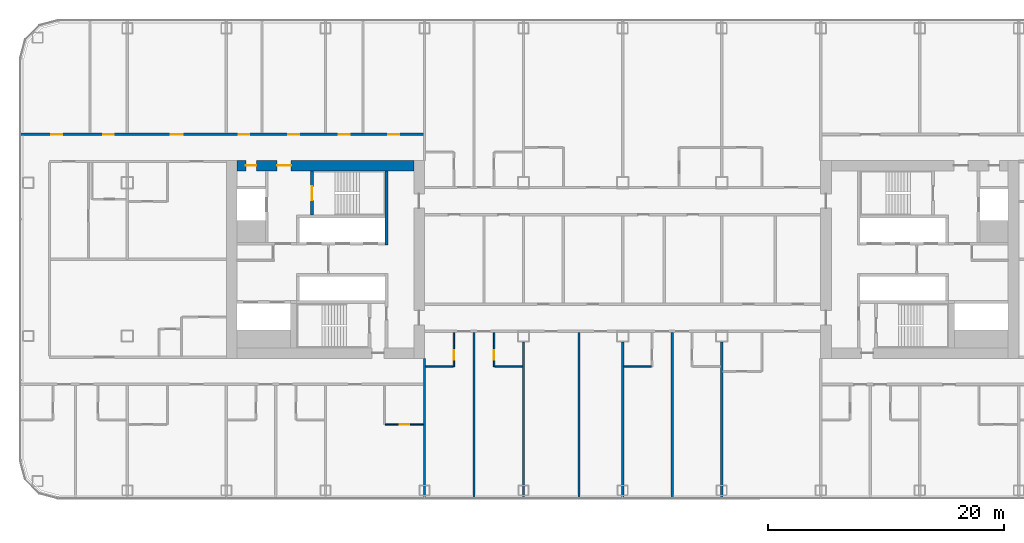
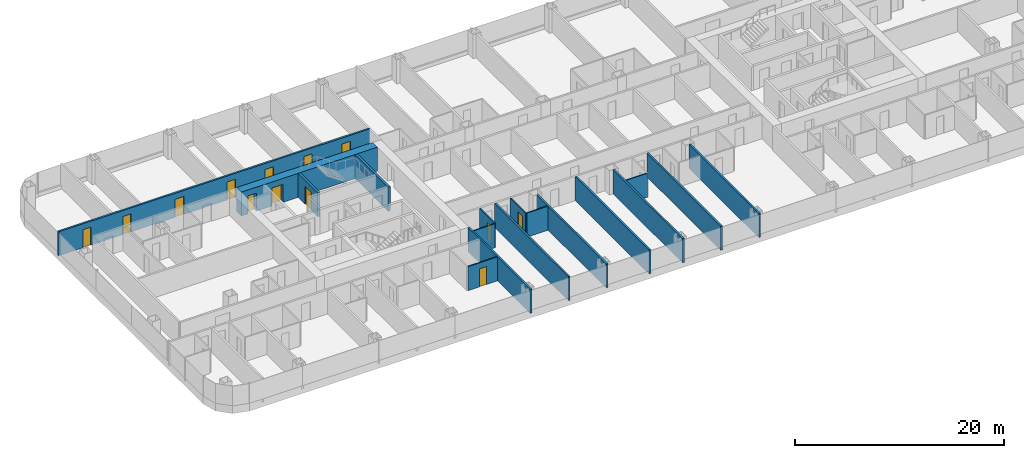
# One storey, part 15 of 29: 17 walls, 13 doors, 13 openings.
"""IFC4 building model written with IfcOpenShell, lengths in metres."""

import ifcopenshell
import ifcopenshell.guid

model = None  # the IFC model being written
_history = None  # IfcOwnerHistory: only IFC2X3 demands one
_inside = {}  # id of a spatial element -> (the spatial element, [elements in it])
_under = {}  # id of a project, library or spatial element -> (it, [spatial elements below it])
_declared = {}  # id of a project -> (the project, [libraries it declares])
_typed = {}  # id of a type object -> (the type object, [elements of that type])
_made_of = {}  # id of a material, layer set ... -> (it, [elements and type objects made of it])


def new_model(schema):
    """Start an empty IFC model of exactly this schema.

    Asked for "IFC4X3", IfcOpenShell would pick the latest addendum, in which some entities
    have other attributes; the version numbers below select the first issue.
    IFC2X3 requires an IfcOwnerHistory on every rooted entity: one is made here for all.
    """
    global model, _history
    if schema == "IFC4X3":
        model = ifcopenshell.file(schema_version=(4, 3, 0, 0))
    else:
        model = ifcopenshell.file(schema=schema)
    _inside.clear()
    _under.clear()
    _declared.clear()
    _typed.clear()
    _made_of.clear()
    _history = None
    if model.schema == "IFC2X3":
        org = make("IfcOrganization", Name="unknown")
        user = make(
            "IfcPersonAndOrganization",
            ThePerson=make("IfcPerson", FamilyName="unknown"),
            TheOrganization=org,
        )
        app = make(
            "IfcApplication",
            ApplicationDeveloper=org,
            Version="unknown",
            ApplicationFullName="unknown",
            ApplicationIdentifier="unknown",
        )
        _history = make(
            "IfcOwnerHistory",
            OwningUser=user,
            OwningApplication=app,
            ChangeAction="ADDED",
            CreationDate=0,
        )
    return model


def make(cls, **values):
    """One entity of the class cls with the attributes given. An attribute that is None is left unset."""
    return model.create_entity(
        cls, **{name: value for name, value in values.items() if value is not None}
    )


def rooted(cls, **values):
    """An entity with a GlobalId (a new one), such as an element, a storey or a relation."""
    return make(cls, GlobalId=ifcopenshell.guid.new(), OwnerHistory=_history, **values)


def si_unit(unit_type, name, prefix=None):
    """IfcSIUnit, for example si_unit("LENGTHUNIT", "METRE", prefix="MILLI")."""
    return make("IfcSIUnit", UnitType=unit_type, Prefix=prefix, Name=name)


def assignment(units):
    """IfcUnitAssignment: the units of a project."""
    return None if units is None else make("IfcUnitAssignment", Units=units)


def point(xyz):
    """IfcCartesianPoint."""
    return None if xyz is None else make("IfcCartesianPoint", Coordinates=xyz)


def direction(xyz):
    """IfcDirection."""
    return None if xyz is None else make("IfcDirection", DirectionRatios=xyz)


def frame(location, z_axis=None, x_axis=None):
    """IfcAxis2Placement3D, a coordinate frame: its origin and axes. An axis left out is left unset."""
    return make(
        "IfcAxis2Placement3D",
        Location=point(location),
        Axis=direction(z_axis),
        RefDirection=direction(x_axis),
    )


def frame_2d(location, x_axis=None):
    """IfcAxis2Placement2D, a coordinate frame in the plane: its origin and x axis."""
    return make(
        "IfcAxis2Placement2D", Location=point(location), RefDirection=direction(x_axis)
    )


def origin():
    """The frame at (0, 0, 0) with its axes left unset."""
    return frame((0.0, 0.0, 0.0))


def place(relative_to, where):
    """IfcLocalPlacement: puts the frame where relative to a parent placement (None: the world)."""
    return make(
        "IfcLocalPlacement", PlacementRelTo=relative_to, RelativePlacement=where
    )


def context(
    kind, dimensions, precision=None, world=None, true_north=None, identifier=None
):
    """IfcGeometricRepresentationContext, for example the 3D "Model" context."""
    return make(
        "IfcGeometricRepresentationContext",
        ContextIdentifier=identifier,
        ContextType=kind,
        CoordinateSpaceDimension=dimensions,
        Precision=precision,
        WorldCoordinateSystem=world,
        TrueNorth=true_north,
    )


def subcontext(parent, identifier, kind, view, scale=None):
    """IfcGeometricRepresentationSubContext, for example "Body" below "Model"."""
    return make(
        "IfcGeometricRepresentationSubContext",
        ContextIdentifier=identifier,
        ContextType=kind,
        ParentContext=parent,
        TargetScale=scale,
        TargetView=view,
    )


def project(units=None, contexts=None):
    """IfcProject with its units and contexts."""
    return rooted(
        "IfcProject",
        Name="project",
        RepresentationContexts=contexts,
        UnitsInContext=assignment(units),
    )


def spatial(cls, under=None, at=None, **own):
    """A site, building, storey or space (cls), placed at a placement, below another one or the project."""
    s = rooted(cls, ObjectPlacement=at, **own)
    if under is not None:
        _under.setdefault(under.id(), (under, []))[1].append(s)
    return s


def profile(cls, at=None, kind="AREA", **sizes):
    """A parametric profile (cls). Its sizes go by their IFC names, for example OverallWidth=200.0."""
    return make(cls, ProfileType=kind, Position=at, **sizes)


def rectangle(**sizes):
    """IfcRectangleProfileDef."""
    return profile("IfcRectangleProfileDef", **sizes)


def extrude(swept, where, along, depth):
    """IfcExtrudedAreaSolid: the profile swept, set in the frame where, extruded along a direction by depth."""
    return make(
        "IfcExtrudedAreaSolid",
        SweptArea=swept,
        Position=where,
        ExtrudedDirection=direction(along),
        Depth=depth,
    )


def shape(context_of_items, identifier, shape_type, items):
    """IfcShapeRepresentation: the items that make up one representation, for example the "Body"."""
    return make(
        "IfcShapeRepresentation",
        ContextOfItems=context_of_items,
        RepresentationIdentifier=identifier,
        RepresentationType=shape_type,
        Items=items,
    )


def material(Name=None, Category=None):
    """IfcMaterial."""
    return make("IfcMaterial", Name=Name, Category=Category)


def layer(
    of_material, thickness, ventilated=None, Name=None, Category=None, Priority=None
):
    """IfcMaterialLayer: one layer of a wall or slab, of a material (None: an air gap)."""
    return make(
        "IfcMaterialLayer",
        Material=of_material,
        LayerThickness=thickness,
        IsVentilated=ventilated,
        Name=Name,
        Category=Category,
        Priority=Priority,
    )


def layer_set(layers, Name=None):
    """IfcMaterialLayerSet."""
    return make("IfcMaterialLayerSet", MaterialLayers=layers, LayerSetName=Name)


def made_of(thing, what):
    """Note that an element or type object is made of a material, layer set ...; save() writes the relation."""
    if what is not None:
        _made_of.setdefault(what.id(), (what, []))[1].append(thing)
    return thing


def type_object(cls, material=None, **own):
    """A type object (cls), such as IfcWallType, which elements share."""
    return made_of(rooted(cls, **own), material)


def element(
    cls,
    number,
    at=None,
    inside=None,
    cuts=None,
    type_object=None,
    material=None,
    context=None,
    identifier="Body",
    shape_type=None,
    held_by="IfcProductDefinitionShape",
    body=None,
    shapes=None,
    **own,
):
    """One element of the class cls, such as IfcWall. Its Tag is "e" and its number.

    at: its placement. inside: the storey or other place that contains it. cuts: it is an
    opening in that element (IfcRelVoidsElement). A single representation is given by context,
    identifier, shape_type and body (its items); several are given by shapes. held_by: the class
    of the entity that holds the representations. save() writes the other relations.
    """
    e = rooted(cls, Tag="e%d" % number, ObjectPlacement=at, **own)
    if body is not None:
        shapes = [shape(context, identifier, shape_type, body)]
    if shapes is not None:
        e.Representation = make(held_by, Representations=shapes)
    if inside is not None:
        _inside.setdefault(inside.id(), (inside, []))[1].append(e)
    if cuts is not None:
        rooted(
            "IfcRelVoidsElement", RelatingBuildingElement=cuts, RelatedOpeningElement=e
        )
    if type_object is not None:
        _typed.setdefault(type_object.id(), (type_object, []))[1].append(e)
    return made_of(e, material)


def fill(opening, filler):
    """IfcRelFillsElement: the door or window that sits in an opening."""
    return rooted(
        "IfcRelFillsElement",
        RelatingOpeningElement=opening,
        RelatedBuildingElement=filler,
    )


def aggregate(whole, parts):
    """IfcRelAggregates: a whole, such as a stair, and the parts it consists of."""
    return rooted("IfcRelAggregates", RelatingObject=whole, RelatedObjects=parts)


def save(model, path):
    """Write the relations noted so far, then the file.

    IfcRelAggregates (storeys below a building ...), IfcRelContainedInSpatialStructure (elements
    in a storey), IfcRelDefinesByType, IfcRelAssociatesMaterial and IfcRelDeclares: one each for
    every whole, place, type object, material and project.
    """
    for whole, parts in _under.values():
        aggregate(whole, parts)
    for where, things in _inside.values():
        rooted(
            "IfcRelContainedInSpatialStructure",
            RelatedElements=things,
            RelatingStructure=where,
        )
    for kind, things in _typed.values():
        rooted("IfcRelDefinesByType", RelatedObjects=things, RelatingType=kind)
    for what, things in _made_of.values():
        rooted("IfcRelAssociatesMaterial", RelatedObjects=things, RelatingMaterial=what)
    for by, libraries in _declared.values():
        rooted("IfcRelDeclares", RelatingContext=by, RelatedDefinitions=libraries)
    model.write(path)


model = new_model("IFC4")

# Units and contexts
model_context = context("Model", 3, precision=1e-05, world=origin(), true_north=direction((0.0, 1.0)))
body_context = subcontext(model_context, "Body", "Model", "MODEL_VIEW")
ifc_project = project(units=[si_unit("LENGTHUNIT", "METRE"), si_unit("AREAUNIT", "SQUARE_METRE"), si_unit("VOLUMEUNIT", "CUBIC_METRE"), si_unit("PLANEANGLEUNIT", "RADIAN"), si_unit("MASSUNIT", "GRAM", prefix="KILO")], contexts=[model_context])

# Site, building, storey
site_placement = place(None, origin())
site = spatial("IfcSite", under=ifc_project, at=site_placement, CompositionType="ELEMENT")
building_placement = place(site_placement, origin())
building = spatial("IfcBuilding", under=site, at=building_placement, Name="Hakoniwa Tower and Hamabe Station Hall", CompositionType="ELEMENT")
storey_placement = place(building_placement, frame((0.0, 0.0, 45.39990234375)))
storey = spatial("IfcBuildingStorey", under=building, at=storey_placement, Name="L12", CompositionType="ELEMENT", Elevation=45.39990234375)

# Wall, opening, door
ifc_material_1 = material(Name="Gypsum board partition", Category="gypsum")
ifc_layer_1 = layer(ifc_material_1, 0.125)
ifc_layer_set_1 = layer_set([ifc_layer_1], Name="Bathroom Partition 125")
wall_type_1 = type_object("IfcWallType", Name="Bathroom Partition 125", PredefinedType="PARTITIONING", material=ifc_layer_set_1)
wall_1_placement = place(storey_placement, frame((-20.137451171875, -14.0, 0.0), z_axis=(0.0, 0.0, 1.0), x_axis=(1.0, 0.0, 0.0)))
wall_1 = element("IfcWall", 1, at=wall_1_placement, inside=storey, type_object=wall_type_1, Name="GW-L12-002", PredefinedType="PARTITIONING", context=body_context, shape_type="SweptSolid", body=[
    extrude(rectangle(XDim=3.237548828125, YDim=0.125, at=frame_2d((1.61865234375, 0.0))), origin(), (0.0, 0.0, 1.0), 2.800048828125),
])
opening_1_placement = place(wall_1_placement, frame((1.237548828125, 0.0, 0.0)))
opening_1 = element("IfcOpeningElement", 2, at=opening_1_placement, cuts=wall_1, Name="Opening GD-G1D1-02", PredefinedType="OPENING", context=body_context, shape_type="SweptSolid", body=[
    extrude(rectangle(XDim=0.800048828125, YDim=2.10009765625, at=frame_2d((0.39990234375, 1.050048828125))), frame((0.0, 0.072509765625, 0.0), z_axis=(0.0, -1.0, 0.0), x_axis=(1.0, 0.0, 0.0)), (0.0, 0.0, 1.0), 0.14501953125),
])
ifc_material_2 = material(Name="Timber door leaf", Category="wood")
door_type_1 = type_object("IfcDoorType", Name="Bathroom Door 800", OperationType="SINGLE_SWING_LEFT", PredefinedType="DOOR", material=ifc_material_2)
door_1_placement = place(opening_1_placement, origin())
door_1 = element("IfcDoor", 3, at=door_1_placement, inside=storey, type_object=door_type_1, Name="Door GD-G1D1-02", OperationType="SINGLE_SWING_LEFT", OverallHeight=2.10009765625, OverallWidth=0.800048828125, PredefinedType="DOOR", context=body_context, shape_type="SweptSolid", body=[
    extrude(rectangle(XDim=0.800048828125, YDim=2.10009765625, at=frame_2d((0.39990234375, 1.050048828125))), frame((0.0, 0.02490234375, 0.0), z_axis=(0.0, -1.0, 0.0), x_axis=(1.0, 0.0, 0.0)), (0.0, 0.0, 1.0), 0.050048828125),
])
fill(opening_1, door_1)

# Walls
for number, where, z_axis, x_axis, name in (
    (4, (-16.699951171875, -9.10009765625, 0.0), (0.0, 0.0, 1.0), (1.0, 0.0, 0.0), "GW-L12-016"),
    (5, (-10.83740234375, -9.10009765625, 0.0), (0.0, 0.0, 1.0), (1.0, 0.0, 0.0), "GW-L12-017"),
    (6, (0.10009765625, -9.10009765625, 0.0), (0.0, 0.0, 1.0), (1.0, 0.0, 0.0), "GW-L12-018"),
):
    element("IfcWall", number, at=place(storey_placement, frame(where, z_axis=z_axis, x_axis=x_axis)), inside=storey, type_object=wall_type_1, Name=name, PredefinedType="PARTITIONING", context=body_context, shape_type="SweptSolid", body=[
        extrude(rectangle(XDim=2.33740234375, YDim=0.125, at=frame_2d((1.168701171875, 0.0))), origin(), (0.0, 0.0, 1.0), 2.800048828125),
    ])

# Wall, opening, door
wall_2_placement = place(storey_placement, frame((-14.300048828125, -9.10009765625, 0.0), z_axis=(0.0, 0.0, 1.0), x_axis=(0.0, 1.0, 0.0)))
wall_2 = element("IfcWall", 7, at=wall_2_placement, inside=storey, type_object=wall_type_1, Name="GW-L12-069", PredefinedType="PARTITIONING", context=body_context, shape_type="SweptSolid", body=[
    extrude(rectangle(XDim=2.900146484375, YDim=0.125, at=frame_2d((1.4501953125, 0.0))), origin(), (0.0, 0.0, 1.0), 2.800048828125),
])
opening_2_placement = place(wall_2_placement, frame((0.60009765625, 0.0, 0.0)))
opening_2 = element("IfcOpeningElement", 8, at=opening_2_placement, cuts=wall_2, Name="Opening GD-G1D1-69", PredefinedType="OPENING", context=body_context, shape_type="SweptSolid", body=[
    extrude(rectangle(XDim=0.800048828125, YDim=2.10009765625, at=frame_2d((0.39990234375, 1.050048828125))), frame((0.0, 0.072509765625, 0.0), z_axis=(0.0, -1.0, 0.0), x_axis=(1.0, 0.0, 0.0)), (0.0, 0.0, 1.0), 0.14501953125),
])
door_2_placement = place(opening_2_placement, origin())
door_2 = element("IfcDoor", 9, at=door_2_placement, inside=storey, type_object=door_type_1, Name="Door GD-G1D1-69", OperationType="SINGLE_SWING_RIGHT", OverallHeight=2.10009765625, OverallWidth=0.800048828125, PredefinedType="DOOR", context=body_context, shape_type="SweptSolid", body=[
    extrude(rectangle(XDim=0.800048828125, YDim=2.10009765625, at=frame_2d((0.39990234375, 1.050048828125))), frame((0.0, 0.02490234375, 0.0), z_axis=(0.0, -1.0, 0.0), x_axis=(1.0, 0.0, 0.0)), (0.0, 0.0, 1.0), 0.050048828125),
])
fill(opening_2, door_2)

wall_3_placement = place(storey_placement, frame((-10.89990234375, -9.10009765625, 0.0), z_axis=(0.0, 0.0, 1.0), x_axis=(0.0, 1.0, 0.0)))
wall_3 = element("IfcWall", 10, at=wall_3_placement, inside=storey, type_object=wall_type_1, Name="GW-L12-074", PredefinedType="PARTITIONING", context=body_context, shape_type="SweptSolid", body=[
    extrude(rectangle(XDim=2.900146484375, YDim=0.125, at=frame_2d((1.4501953125, 0.0))), origin(), (0.0, 0.0, 1.0), 2.800048828125),
])
opening_3_placement = place(wall_3_placement, frame((0.60009765625, 0.0, 0.0)))
opening_3 = element("IfcOpeningElement", 11, at=opening_3_placement, cuts=wall_3, Name="Opening GD-G1D1-71", PredefinedType="OPENING", context=body_context, shape_type="SweptSolid", body=[
    extrude(rectangle(XDim=0.800048828125, YDim=2.10009765625, at=frame_2d((0.39990234375, 1.050048828125))), frame((0.0, 0.072509765625, 0.0), z_axis=(0.0, -1.0, 0.0), x_axis=(1.0, 0.0, 0.0)), (0.0, 0.0, 1.0), 0.14501953125),
])
door_3_placement = place(opening_3_placement, origin())
door_3 = element("IfcDoor", 12, at=door_3_placement, inside=storey, type_object=door_type_1, Name="Door GD-G1D1-71", OperationType="SINGLE_SWING_LEFT", OverallHeight=2.10009765625, OverallWidth=0.800048828125, PredefinedType="DOOR", context=body_context, shape_type="SweptSolid", body=[
    extrude(rectangle(XDim=0.800048828125, YDim=2.10009765625, at=frame_2d((0.39990234375, 1.050048828125))), frame((0.0, 0.02490234375, 0.0), z_axis=(0.0, -1.0, 0.0), x_axis=(1.0, 0.0, 0.0)), (0.0, 0.0, 1.0), 0.050048828125),
])
fill(opening_3, door_3)

# Wall, openings, doors
ifc_material_3 = material(Name="Concrete C80", Category="concrete")
ifc_layer_2 = layer(ifc_material_3, 0.89990234375)
ifc_layer_set_2 = layer_set([ifc_layer_2], Name="CORE WALL 900 C80")
wall_type_2 = type_object("IfcWallType", Name="CORE WALL 900 C80", PredefinedType="SHEAR", material=ifc_layer_set_2)
wall_4_placement = place(storey_placement, frame((-32.699951171875, 7.949951171875, 0.0), z_axis=(0.0, 0.0, 1.0), x_axis=(1.0, 0.0, 0.0)))
wall_4 = element("IfcWall", 13, at=wall_4_placement, inside=storey, type_object=wall_type_2, Name="Core wall NORTH west", PredefinedType="SHEAR", context=body_context, shape_type="SweptSolid", body=[
    extrude(rectangle(XDim=15.0, YDim=0.89990234375, at=frame_2d((7.5, 0.0))), origin(), (0.0, 0.0, 1.0), 2.800048828125),
])
opening_4_placement = place(wall_4_placement, frame((3.39990234375, 0.0, 0.0)))
opening_4 = element("IfcOpeningElement", 14, at=opening_4_placement, cuts=wall_4, Name="Opening CD-W-FN1-12", PredefinedType="OPENING", context=body_context, shape_type="SweptSolid", body=[
    extrude(rectangle(XDim=1.199951171875, YDim=2.10009765625, at=frame_2d((0.60009765625, 1.050048828125))), frame((0.0, 0.4599609375, 0.0), z_axis=(0.0, -1.0, 0.0), x_axis=(1.0, 0.0, 0.0)), (0.0, 0.0, 1.0), 0.919921875),
])
opening_5_placement = place(wall_4_placement, frame((0.75, 0.0, 0.0)))
opening_5 = element("IfcOpeningElement", 15, at=opening_5_placement, cuts=wall_4, Name="Opening CD-W-FN2-9", PredefinedType="OPENING", context=body_context, shape_type="SweptSolid", body=[
    extrude(rectangle(XDim=0.89990234375, YDim=2.10009765625, at=frame_2d((0.449951171875, 1.050048828125))), frame((0.0, 0.4599609375, 0.0), z_axis=(0.0, -1.0, 0.0), x_axis=(1.0, 0.0, 0.0)), (0.0, 0.0, 1.0), 0.919921875),
])
ifc_material_4 = material(Name="Steel fire door", Category="steel")
door_type_2 = type_object("IfcDoorType", Name="CORE DOOR 1200 FD60", OperationType="DOUBLE_DOOR_SINGLE_SWING", PredefinedType="DOOR", material=ifc_material_4)
door_4_placement = place(opening_4_placement, origin())
door_4 = element("IfcDoor", 16, at=door_4_placement, inside=storey, type_object=door_type_2, Name="Stair vestibule door to the fire-fighting lobby", OperationType="DOUBLE_DOOR_SINGLE_SWING", OverallHeight=2.10009765625, OverallWidth=1.199951171875, PredefinedType="DOOR", context=body_context, shape_type="SweptSolid", body=[
    extrude(rectangle(XDim=1.199951171875, YDim=2.10009765625, at=frame_2d((0.60009765625, 1.050048828125))), frame((0.0, 0.02490234375, 0.0), z_axis=(0.0, -1.0, 0.0), x_axis=(1.0, 0.0, 0.0)), (0.0, 0.0, 1.0), 0.050048828125),
])
fill(opening_4, door_4)
ifc_material_5 = material(Name="Steel fire door", Category="steel")
door_type_3 = type_object("IfcDoorType", Name="CORE DOOR 900 FD30", OperationType="NOTDEFINED", PredefinedType="DOOR", material=ifc_material_5)
door_5_placement = place(opening_5_placement, origin())
door_5 = element("IfcDoor", 17, at=door_5_placement, inside=storey, type_object=door_type_3, Name="Riser access door", OperationType="SINGLE_SWING_LEFT", OverallHeight=2.10009765625, OverallWidth=0.89990234375, PredefinedType="DOOR", context=body_context, shape_type="SweptSolid", body=[
    extrude(rectangle(XDim=0.89990234375, YDim=2.10009765625, at=frame_2d((0.449951171875, 1.050048828125))), frame((0.0, 0.02490234375, 0.0), z_axis=(0.0, -1.0, 0.0), x_axis=(1.0, 0.0, 0.0)), (0.0, 0.0, 1.0), 0.050048828125),
])
fill(opening_5, door_5)

# Wall
ifc_material_6 = material(Name="Concrete C80", Category="concrete")
ifc_layer_3 = layer(ifc_material_6, 0.25)
ifc_layer_set_3 = layer_set([ifc_layer_3], Name="CORE WEB WALL 250 C80")
wall_type_3 = type_object("IfcWallType", Name="CORE WEB WALL 250 C80", PredefinedType="SHEAR", material=ifc_layer_set_3)
wall_5_placement = place(storey_placement, frame((-20.02490234375, 1.199951171875, 0.0), z_axis=(0.0, 0.0, 1.0), x_axis=(0.0, 1.0, 0.0)))
element("IfcWall", 18, at=wall_5_placement, inside=storey, type_object=wall_type_3, Name="Core wall W1N west", PredefinedType="SHEAR", context=body_context, shape_type="SweptSolid", body=[
    extrude(rectangle(XDim=6.300048828125, YDim=0.25, at=frame_2d((3.14990234375, 0.0))), origin(), (0.0, 0.0, 1.0), 2.800048828125),
])

# Wall, opening, door
wall_6_placement = place(storey_placement, frame((-26.324951171875, 3.75, 0.0), z_axis=(0.0, 0.0, 1.0), x_axis=(0.0, 1.0, 0.0)))
wall_6 = element("IfcWall", 19, at=wall_6_placement, inside=storey, type_object=wall_type_3, Name="Core wall NSE west", PredefinedType="SHEAR", context=body_context, shape_type="SweptSolid", body=[
    extrude(rectangle(XDim=3.75, YDim=0.25, at=frame_2d((1.875, 0.0))), origin(), (0.0, 0.0, 1.0), 2.800048828125),
])
opening_6_placement = place(wall_6_placement, frame((1.25, 0.0, 0.0)))
opening_6 = element("IfcOpeningElement", 20, at=opening_6_placement, cuts=wall_6, Name="Opening CD-W-SN-12", PredefinedType="OPENING", context=body_context, shape_type="SweptSolid", body=[
    extrude(rectangle(XDim=1.199951171875, YDim=2.10009765625, at=frame_2d((0.60009765625, 1.050048828125))), frame((0.0, 0.135009765625, 0.0), z_axis=(0.0, -1.0, 0.0), x_axis=(1.0, 0.0, 0.0)), (0.0, 0.0, 1.0), 0.27001953125),
])
door_6_placement = place(opening_6_placement, origin())
door_6 = element("IfcDoor", 21, at=door_6_placement, inside=storey, type_object=door_type_2, Name="Escape stair door", OperationType="DOUBLE_DOOR_SINGLE_SWING", OverallHeight=2.10009765625, OverallWidth=1.199951171875, PredefinedType="DOOR", context=body_context, shape_type="SweptSolid", body=[
    extrude(rectangle(XDim=1.199951171875, YDim=2.10009765625, at=frame_2d((0.60009765625, 1.050048828125))), frame((0.0, 0.02490234375, 0.0), z_axis=(0.0, -1.0, 0.0), x_axis=(1.0, 0.0, 0.0)), (0.0, 0.0, 1.0), 0.050048828125),
])
fill(opening_6, door_6)

# Wall, openings, doors
ifc_material_7 = material(Name="Fire-rated gypsum board partition", Category="gypsum")
ifc_layer_4 = layer(ifc_material_7, 0.199951171875)
ifc_layer_set_4 = layer_set([ifc_layer_4], Name="Corridor Wall 200")
wall_type_4 = type_object("IfcWallType", Name="Corridor Wall 200", PredefinedType="PARTITIONING", material=ifc_layer_set_4)
wall_7_placement = place(storey_placement, frame((-51.10009765625, 10.60009765625, 0.0), z_axis=(0.0, 0.0, 1.0), x_axis=(1.0, 0.0, 0.0)))
wall_7 = element("IfcWall", 22, at=wall_7_placement, inside=storey, type_object=wall_type_4, Name="GW-L12-041", PredefinedType="PARTITIONING", context=body_context, shape_type="SweptSolid", body=[
    extrude(rectangle(XDim=34.300048828125, YDim=0.199951171875, at=frame_2d((17.14990234375, 0.0))), origin(), (0.0, 0.0, 1.0), 2.800048828125),
])
opening_7_placement = place(wall_7_placement, frame((2.6650390625, 0.0, 0.0)))
opening_7 = element("IfcOpeningElement", 23, at=opening_7_placement, cuts=wall_7, Name="Opening GD-G1D1-53", PredefinedType="OPENING", context=body_context, shape_type="SweptSolid", body=[
    extrude(rectangle(XDim=0.89990234375, YDim=2.10009765625, at=frame_2d((0.449951171875, 1.050048828125))), frame((0.0, 0.10986328125, 0.0), z_axis=(0.0, -1.0, 0.0), x_axis=(1.0, 0.0, 0.0)), (0.0, 0.0, 1.0), 0.219970703125),
])
opening_8_placement = place(wall_7_placement, frame((7.06494140625, 0.0, 0.0)))
opening_8 = element("IfcOpeningElement", 24, at=opening_8_placement, cuts=wall_7, Name="Opening GD-G1D1-54", PredefinedType="OPENING", context=body_context, shape_type="SweptSolid", body=[
    extrude(rectangle(XDim=0.89990234375, YDim=2.10009765625, at=frame_2d((0.449951171875, 1.050048828125))), frame((0.0, 0.10986328125, 0.0), z_axis=(0.0, -1.0, 0.0), x_axis=(1.0, 0.0, 0.0)), (0.0, 0.0, 1.0), 0.219970703125),
])
opening_9_placement = place(wall_7_placement, frame((12.800048828125, 0.0, 0.0)))
opening_9 = element("IfcOpeningElement", 25, at=opening_9_placement, cuts=wall_7, Name="Opening GD-G1D1-55", PredefinedType="OPENING", context=body_context, shape_type="SweptSolid", body=[
    extrude(rectangle(XDim=1.0, YDim=2.10009765625, at=frame_2d((0.5, 1.050048828125))), frame((0.0, 0.10986328125, 0.0), z_axis=(0.0, -1.0, 0.0), x_axis=(1.0, 0.0, 0.0)), (0.0, 0.0, 1.0), 0.219970703125),
])
opening_10_placement = place(wall_7_placement, frame((18.56005859375, 0.0, 0.0)))
opening_10 = element("IfcOpeningElement", 26, at=opening_10_placement, cuts=wall_7, Name="Opening GD-G1D1-56", PredefinedType="OPENING", context=body_context, shape_type="SweptSolid", body=[
    extrude(rectangle(XDim=0.89990234375, YDim=2.10009765625, at=frame_2d((0.449951171875, 1.050048828125))), frame((0.0, 0.10986328125, 0.0), z_axis=(0.0, -1.0, 0.0), x_axis=(1.0, 0.0, 0.0)), (0.0, 0.0, 1.0), 0.219970703125),
])
opening_11_placement = place(wall_7_placement, frame((22.760009765625, 0.0, 0.0)))
opening_11 = element("IfcOpeningElement", 27, at=opening_11_placement, cuts=wall_7, Name="Opening GD-G1D1-57", PredefinedType="OPENING", context=body_context, shape_type="SweptSolid", body=[
    extrude(rectangle(XDim=0.89990234375, YDim=2.10009765625, at=frame_2d((0.449951171875, 1.050048828125))), frame((0.0, 0.10986328125, 0.0), z_axis=(0.0, -1.0, 0.0), x_axis=(1.0, 0.0, 0.0)), (0.0, 0.0, 1.0), 0.219970703125),
])
opening_12_placement = place(wall_7_placement, frame((27.044921875, 0.0, 0.0)))
opening_12 = element("IfcOpeningElement", 28, at=opening_12_placement, cuts=wall_7, Name="Opening GD-G1D1-58", PredefinedType="OPENING", context=body_context, shape_type="SweptSolid", body=[
    extrude(rectangle(XDim=0.89990234375, YDim=2.10009765625, at=frame_2d((0.449951171875, 1.050048828125))), frame((0.0, 0.10986328125, 0.0), z_axis=(0.0, -1.0, 0.0), x_axis=(1.0, 0.0, 0.0)), (0.0, 0.0, 1.0), 0.219970703125),
])
opening_13_placement = place(wall_7_placement, frame((31.2451171875, 0.0, 0.0)))
opening_13 = element("IfcOpeningElement", 29, at=opening_13_placement, cuts=wall_7, Name="Opening GD-G1D1-59", PredefinedType="OPENING", context=body_context, shape_type="SweptSolid", body=[
    extrude(rectangle(XDim=0.89990234375, YDim=2.10009765625, at=frame_2d((0.449951171875, 1.050048828125))), frame((0.0, 0.10986328125, 0.0), z_axis=(0.0, -1.0, 0.0), x_axis=(1.0, 0.0, 0.0)), (0.0, 0.0, 1.0), 0.219970703125),
])
ifc_material_8 = material(Name="Timber door leaf", Category="wood")
door_type_4 = type_object("IfcDoorType", Name="Guest Entrance Door 1000", OperationType="SINGLE_SWING_LEFT", PredefinedType="DOOR", material=ifc_material_8)
door_7_placement = place(opening_9_placement, origin())
door_7 = element("IfcDoor", 30, at=door_7_placement, inside=storey, type_object=door_type_4, Name="Door GD-G1D1-55", OperationType="SINGLE_SWING_LEFT", OverallHeight=2.10009765625, OverallWidth=1.0, PredefinedType="DOOR", context=body_context, shape_type="SweptSolid", body=[
    extrude(rectangle(XDim=1.0, YDim=2.10009765625, at=frame_2d((0.5, 1.050048828125))), frame((0.0, 0.02490234375, 0.0), z_axis=(0.0, -1.0, 0.0), x_axis=(1.0, 0.0, 0.0)), (0.0, 0.0, 1.0), 0.050048828125),
])
fill(opening_9, door_7)
ifc_material_9 = material(Name="Timber door leaf", Category="wood")
door_type_5 = type_object("IfcDoorType", Name="Service Door 900", OperationType="SINGLE_SWING_LEFT", PredefinedType="DOOR", material=ifc_material_9)
door_8_placement = place(opening_7_placement, origin())
door_8 = element("IfcDoor", 31, at=door_8_placement, inside=storey, type_object=door_type_5, Name="Door GD-G1D1-53", OperationType="SINGLE_SWING_LEFT", OverallHeight=2.10009765625, OverallWidth=0.89990234375, PredefinedType="DOOR", context=body_context, shape_type="SweptSolid", body=[
    extrude(rectangle(XDim=0.89990234375, YDim=2.10009765625, at=frame_2d((0.449951171875, 1.050048828125))), frame((0.0, 0.02490234375, 0.0), z_axis=(0.0, -1.0, 0.0), x_axis=(1.0, 0.0, 0.0)), (0.0, 0.0, 1.0), 0.050048828125),
])
fill(opening_7, door_8)
door_9_placement = place(opening_8_placement, origin())
door_9 = element("IfcDoor", 32, at=door_9_placement, inside=storey, type_object=door_type_5, Name="Door GD-G1D1-54", OperationType="SINGLE_SWING_RIGHT", OverallHeight=2.10009765625, OverallWidth=0.89990234375, PredefinedType="DOOR", context=body_context, shape_type="SweptSolid", body=[
    extrude(rectangle(XDim=0.89990234375, YDim=2.10009765625, at=frame_2d((0.449951171875, 1.050048828125))), frame((0.0, 0.02490234375, 0.0), z_axis=(0.0, -1.0, 0.0), x_axis=(1.0, 0.0, 0.0)), (0.0, 0.0, 1.0), 0.050048828125),
])
fill(opening_8, door_9)
door_10_placement = place(opening_10_placement, origin())
door_10 = element("IfcDoor", 33, at=door_10_placement, inside=storey, type_object=door_type_5, Name="Door GD-G1D1-56", OperationType="SINGLE_SWING_RIGHT", OverallHeight=2.10009765625, OverallWidth=0.89990234375, PredefinedType="DOOR", context=body_context, shape_type="SweptSolid", body=[
    extrude(rectangle(XDim=0.89990234375, YDim=2.10009765625, at=frame_2d((0.449951171875, 1.050048828125))), frame((0.0, 0.02490234375, 0.0), z_axis=(0.0, -1.0, 0.0), x_axis=(1.0, 0.0, 0.0)), (0.0, 0.0, 1.0), 0.050048828125),
])
fill(opening_10, door_10)
door_11_placement = place(opening_11_placement, origin())
door_11 = element("IfcDoor", 34, at=door_11_placement, inside=storey, type_object=door_type_5, Name="Door GD-G1D1-57", OperationType="SINGLE_SWING_LEFT", OverallHeight=2.10009765625, OverallWidth=0.89990234375, PredefinedType="DOOR", context=body_context, shape_type="SweptSolid", body=[
    extrude(rectangle(XDim=0.89990234375, YDim=2.10009765625, at=frame_2d((0.449951171875, 1.050048828125))), frame((0.0, 0.02490234375, 0.0), z_axis=(0.0, -1.0, 0.0), x_axis=(1.0, 0.0, 0.0)), (0.0, 0.0, 1.0), 0.050048828125),
])
fill(opening_11, door_11)
door_12_placement = place(opening_12_placement, origin())
door_12 = element("IfcDoor", 35, at=door_12_placement, inside=storey, type_object=door_type_5, Name="Door GD-G1D1-58", OperationType="SINGLE_SWING_RIGHT", OverallHeight=2.10009765625, OverallWidth=0.89990234375, PredefinedType="DOOR", context=body_context, shape_type="SweptSolid", body=[
    extrude(rectangle(XDim=0.89990234375, YDim=2.10009765625, at=frame_2d((0.449951171875, 1.050048828125))), frame((0.0, 0.02490234375, 0.0), z_axis=(0.0, -1.0, 0.0), x_axis=(1.0, 0.0, 0.0)), (0.0, 0.0, 1.0), 0.050048828125),
])
fill(opening_12, door_12)
door_13_placement = place(opening_13_placement, origin())
door_13 = element("IfcDoor", 36, at=door_13_placement, inside=storey, type_object=door_type_5, Name="Door GD-G1D1-59", OperationType="SINGLE_SWING_LEFT", OverallHeight=2.10009765625, OverallWidth=0.89990234375, PredefinedType="DOOR", context=body_context, shape_type="SweptSolid", body=[
    extrude(rectangle(XDim=0.89990234375, YDim=2.10009765625, at=frame_2d((0.449951171875, 1.050048828125))), frame((0.0, 0.02490234375, 0.0), z_axis=(0.0, -1.0, 0.0), x_axis=(1.0, 0.0, 0.0)), (0.0, 0.0, 1.0), 0.050048828125),
])
fill(opening_13, door_13)

# Walls
ifc_material_10 = material(Name="Fire-rated gypsum board partition", Category="gypsum")
ifc_layer_5 = layer(ifc_material_10, 0.199951171875)
ifc_layer_set_5 = layer_set([ifc_layer_5], Name="Party Wall 200")
wall_type_5 = type_object("IfcWallType", Name="Party Wall 200", PredefinedType="PARTITIONING", material=ifc_layer_set_5)
wall_8_placement = place(storey_placement, frame((-16.800048828125, -20.300048828125, 0.0), z_axis=(0.0, 0.0, 1.0), x_axis=(0.0, 1.0, 0.0)))
element("IfcWall", 37, at=wall_8_placement, inside=storey, type_object=wall_type_5, Name="GW-L12-067", PredefinedType="PARTITIONING", context=body_context, shape_type="SweptSolid", body=[
    extrude(rectangle(XDim=11.91015625, YDim=0.199951171875, at=frame_2d((5.955078125, 0.0))), origin(), (0.0, 0.0, 1.0), 2.800048828125),
])
wall_9_placement = place(storey_placement, frame((-12.60009765625, -20.300048828125, 0.0), z_axis=(0.0, 0.0, 1.0), x_axis=(0.0, 1.0, 0.0)))
element("IfcWall", 38, at=wall_9_placement, inside=storey, type_object=wall_type_5, Name="GW-L12-071", PredefinedType="PARTITIONING", context=body_context, shape_type="SweptSolid", body=[
    extrude(rectangle(XDim=14.10009765625, YDim=0.199951171875, at=frame_2d((7.050048828125, 0.0))), origin(), (0.0, 0.0, 1.0), 2.800048828125),
])
wall_10_placement = place(storey_placement, frame((-8.39990234375, -20.300048828125, 0.0), z_axis=(0.0, 0.0, 1.0), x_axis=(0.0, 1.0, 0.0)))
element("IfcWall", 39, at=wall_10_placement, inside=storey, type_object=wall_type_5, Name="GW-L12-076", PredefinedType="PARTITIONING", context=body_context, shape_type="SweptSolid", body=[
    extrude(rectangle(XDim=13.31005859375, YDim=0.199951171875, at=frame_2d((6.655029296875, 0.0))), origin(), (0.0, 0.0, 1.0), 2.800048828125),
])
wall_11_placement = place(storey_placement, frame((-3.699951171875, -20.300048828125, 0.0), z_axis=(0.0, 0.0, 1.0), x_axis=(0.0, 1.0, 0.0)))
element("IfcWall", 40, at=wall_11_placement, inside=storey, type_object=wall_type_5, Name="GW-L12-081", PredefinedType="PARTITIONING", context=body_context, shape_type="SweptSolid", body=[
    extrude(rectangle(XDim=14.10009765625, YDim=0.199951171875, at=frame_2d((7.050048828125, 0.0))), origin(), (0.0, 0.0, 1.0), 2.800048828125),
])
wall_12_placement = place(storey_placement, frame((0.0, -20.300048828125, 0.0), z_axis=(0.0, 0.0, 1.0), x_axis=(0.0, 1.0, 0.0)))
element("IfcWall", 41, at=wall_12_placement, inside=storey, type_object=wall_type_5, Name="GW-L12-082", PredefinedType="PARTITIONING", context=body_context, shape_type="SweptSolid", body=[
    extrude(rectangle(XDim=13.31005859375, YDim=0.199951171875, at=frame_2d((6.655029296875, 0.0))), origin(), (0.0, 0.0, 1.0), 2.800048828125),
])
wall_13_placement = place(storey_placement, frame((4.199951171875, -20.300048828125, 0.0), z_axis=(0.0, 0.0, 1.0), x_axis=(0.0, 1.0, 0.0)))
element("IfcWall", 42, at=wall_13_placement, inside=storey, type_object=wall_type_5, Name="GW-L12-087", PredefinedType="PARTITIONING", context=body_context, shape_type="SweptSolid", body=[
    extrude(rectangle(XDim=14.10009765625, YDim=0.199951171875, at=frame_2d((7.050048828125, 0.0))), origin(), (0.0, 0.0, 1.0), 2.800048828125),
])
wall_14_placement = place(storey_placement, frame((8.39990234375, -20.300048828125, 0.0), z_axis=(0.0, 0.0, 1.0), x_axis=(0.0, 1.0, 0.0)))
element("IfcWall", 43, at=wall_14_placement, inside=storey, type_object=wall_type_5, Name="GW-L12-090", PredefinedType="PARTITIONING", context=body_context, shape_type="SweptSolid", body=[
    extrude(rectangle(XDim=13.31005859375, YDim=0.199951171875, at=frame_2d((6.655029296875, 0.0))), origin(), (0.0, 0.0, 1.0), 2.800048828125),
])

save(model, "model.ifc")
